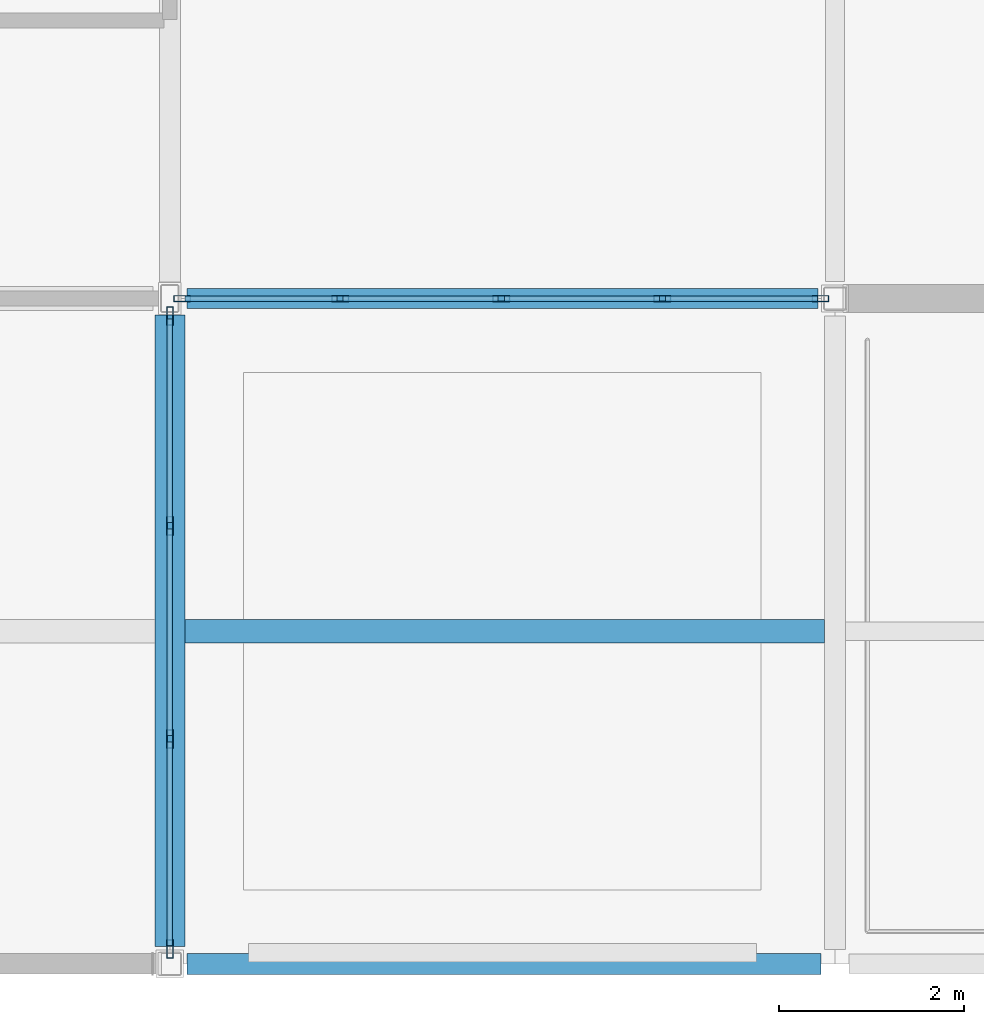
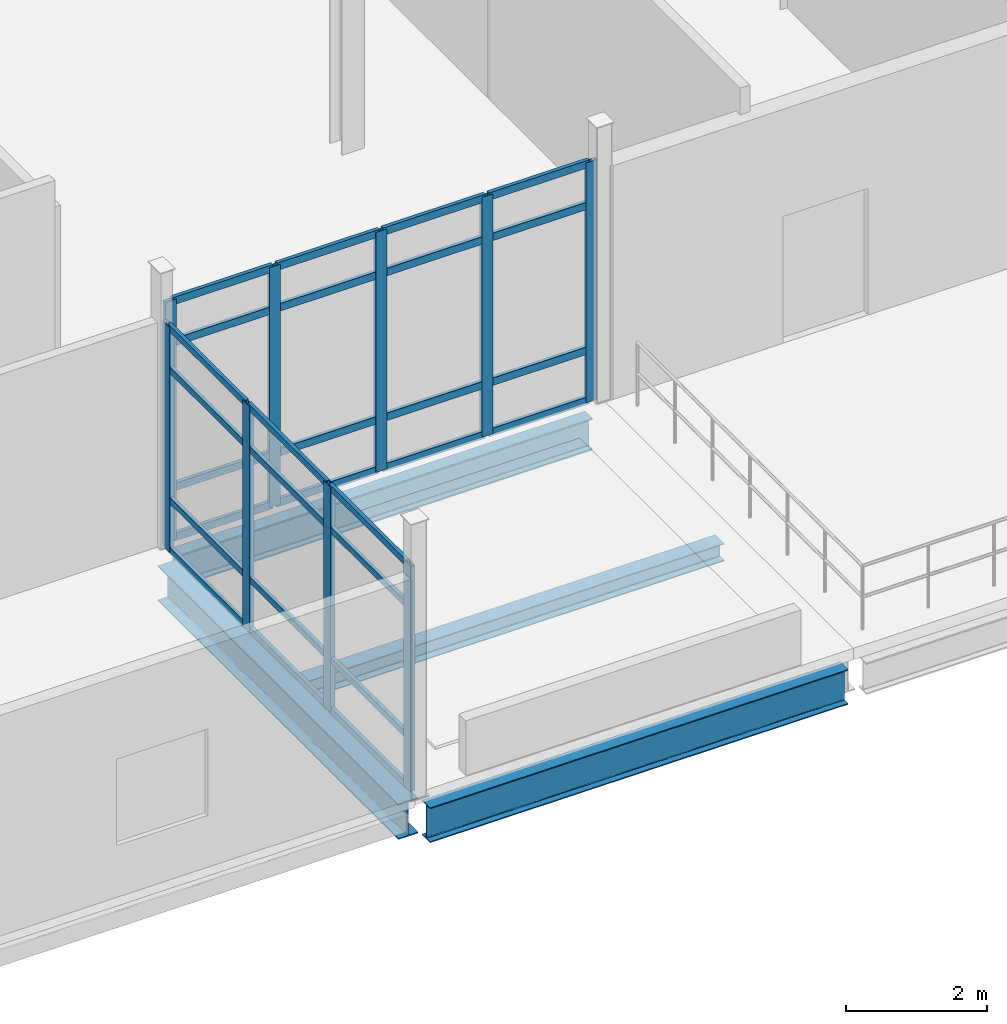
# One storey, part 56 of 186: 37 members, 4 beams, 2 elements without a shape of their own.
"""IFC4 building model written with IfcOpenShell, lengths in metres."""

from ifc_helpers import new_model, si_unit, direction, frame, origin, origin_2d, place, context, subcontext, project, spatial, hollow_rectangle, i_section, extrude, material, layer, layer_set, material_profile, profile_set, type_object, element, aggregate, save


model = new_model("IFC4")

# Units and contexts
model_context = context("Model", 3, precision=1e-05, world=origin(), true_north=direction((0.0, 1.0)))
body_context = subcontext(model_context, "Body", "Model", "MODEL_VIEW")
ifc_project = project(units=[si_unit("LENGTHUNIT", "METRE"), si_unit("AREAUNIT", "SQUARE_METRE"), si_unit("VOLUMEUNIT", "CUBIC_METRE"), si_unit("PLANEANGLEUNIT", "RADIAN"), si_unit("MASSUNIT", "GRAM", prefix="KILO")], contexts=[model_context])

# Site, building, storey
site_placement = place(None, origin())
site = spatial("IfcSite", under=ifc_project, at=site_placement, CompositionType="ELEMENT")
building_placement = place(site_placement, origin())
building = spatial("IfcBuilding", under=site, at=building_placement, Name="Calvrana Isthmian Art Gallery", CompositionType="ELEMENT")
storey_placement = place(building_placement, frame((0.0, 0.0, 5.39990234375)))
storey = spatial("IfcBuildingStorey", under=building, at=storey_placement, Name="L01", CompositionType="ELEMENT", Elevation=5.39990234375)

# Beams
ifc_material_1 = material(Name="Steel ASTM A992 Gr 50", Category="steel")
ifc_material_profile_1 = material_profile(ifc_material_1, i_section(OverallWidth=0.214111328125, OverallDepth=0.549072265625, WebThickness=0.0146484375, FlangeThickness=0.023681640625, FilletRadius=0.02099609375, at=origin_2d()), Name="W21X93")
ifc_profile_set_1 = profile_set([ifc_material_profile_1], Name="Steel ASTM A992 Gr 50")
beam_type_1 = type_object("IfcBeamType", Name="BM-G-W21X93", PredefinedType="BEAM", material=ifc_profile_set_1)
beam_1_placement = place(storey_placement, frame((112.98388671875, 7.199951171875, -0.519287109375), z_axis=(1.0, 0.0, 0.0), x_axis=(0.0, 1.0, 0.0)))
element("IfcBeam", 1, at=beam_1_placement, inside=storey, type_object=beam_type_1, Name="Girder X L01 15-16/B", PredefinedType="BEAM", context=body_context, shape_type="SweptSolid", body=[
    extrude(i_section(OverallWidth=0.214111328125, OverallDepth=0.549072265625, WebThickness=0.0146484375, FlangeThickness=0.023681640625, FilletRadius=0.02099609375, at=origin_2d()), origin(), (0.0, 0.0, 1.0), 6.82958984375),
])
ifc_material_profile_2 = material_profile(ifc_material_1, i_section(OverallWidth=0.324951171875, OverallDepth=0.612060546875, WebThickness=0.0126953125, FlangeThickness=0.01904296875, FilletRadius=0.02197265625, at=origin_2d()), Name="W24X104")
ifc_profile_set_2 = profile_set([ifc_material_profile_2], Name="Steel ASTM A992 Gr 50")
beam_type_2 = type_object("IfcBeamType", Name="BM-G-W24X104", PredefinedType="BEAM", material=ifc_profile_set_2)
beam_2_placement = place(storey_placement, frame((112.800048828125, 0.1865234375, -0.55078125), z_axis=(0.0, 1.0, 0.0), x_axis=(-1.0, 0.0, 0.0)))
element("IfcBeam", 2, at=beam_2_placement, inside=storey, type_object=beam_type_2, Name="Girder Y L01 15/A-B", PredefinedType="BEAM", context=body_context, shape_type="SweptSolid", body=[
    extrude(i_section(OverallWidth=0.324951171875, OverallDepth=0.612060546875, WebThickness=0.0126953125, FlangeThickness=0.01904296875, FilletRadius=0.02197265625, at=origin_2d()), origin(), (0.0, 0.0, 1.0), 6.83544921875),
])
ifc_material_profile_3 = material_profile(ifc_material_1, i_section(OverallWidth=0.22802734375, OverallDepth=0.60693359375, WebThickness=0.01123046875, FlangeThickness=0.017333984375, FilletRadius=0.02197265625, at=origin_2d()), Name="W24X76")
ifc_profile_set_3 = profile_set([ifc_material_profile_3], Name="Steel ASTM A992 Gr 50")
beam_type_3 = type_object("IfcBeamType", Name="BM-G-W24X76", PredefinedType="BEAM", material=ifc_profile_set_3)
beam_3_placement = place(storey_placement, frame((112.986572265625, 0.0, -0.54833984375), z_axis=(1.0, 0.0, 0.0), x_axis=(0.0, 1.0, 0.0)))
element("IfcBeam", 3, at=beam_3_placement, inside=storey, type_object=beam_type_3, Name="Girder X L01 15-16/A", PredefinedType="BEAM", context=body_context, shape_type="SweptSolid", body=[
    extrude(i_section(OverallWidth=0.22802734375, OverallDepth=0.60693359375, WebThickness=0.01123046875, FlangeThickness=0.017333984375, FilletRadius=0.02197265625, at=origin_2d()), origin(), (0.0, 0.0, 1.0), 6.861083984375),
])
ifc_material_profile_4 = material_profile(ifc_material_1, i_section(OverallWidth=0.25390625, OverallDepth=0.306884765625, WebThickness=0.0087890625, FlangeThickness=0.0146484375, FilletRadius=0.01611328125, at=origin_2d()), Name="W12X53")
ifc_profile_set_4 = profile_set([ifc_material_profile_4], Name="Steel ASTM A992 Gr 50")
beam_type_4 = type_object("IfcBeamType", Name="BM-J-W12X53", PredefinedType="JOIST", material=ifc_profile_set_4)
beam_4_placement = place(storey_placement, frame((112.96240234375, 3.60009765625, -0.3984375), z_axis=(1.0, 0.0, 0.0), x_axis=(0.0, 1.0, 0.0)))
element("IfcBeam", 4, at=beam_4_placement, inside=storey, type_object=beam_type_4, Name="Composite joist L01 bay 14-00", PredefinedType="JOIST", context=body_context, shape_type="SweptSolid", body=[
    extrude(i_section(OverallWidth=0.25390625, OverallDepth=0.306884765625, WebThickness=0.0087890625, FlangeThickness=0.0146484375, FilletRadius=0.01611328125, at=origin_2d()), origin(), (0.0, 0.0, 1.0), 6.923583984375),
])

# Curtain wall, members
ifc_material_2 = material(Name="Anodized bronze aluminium 6063-T6", Category="aluminium")
ifc_layer_1 = layer(ifc_material_2, 0.179931640625, Name="Anodized bronze aluminium 6063-T6")
ifc_layer_set_1 = layer_set([ifc_layer_1], Name="Anodized bronze aluminium 6063-T6")
curtain_wall_type_1 = type_object("IfcCurtainWallType", Name="CW-UNIT-070X42", PredefinedType="USERDEFINED", material=ifc_layer_set_1)
curtain_wall_1_placement = place(storey_placement, origin())
curtain_wall_1 = element("IfcCurtainWall", 5, at=curtain_wall_1_placement, inside=storey, type_object=curtain_wall_type_1, Name="Curtain wall CW-086", ObjectType="UNITISED CURTAIN WALL", PredefinedType="USERDEFINED")
ifc_material_profile_5 = material_profile(ifc_material_2, hollow_rectangle(XDim=0.06494140625, YDim=0.179931640625, WallThickness=0.00439453125, at=origin_2d()), Name="CWM65X180")
ifc_profile_set_5 = profile_set([ifc_material_profile_5], Name="Anodized bronze aluminium 6063-T6")
member_type_1 = type_object("IfcMemberType", Name="CWM-CWM65X180", PredefinedType="MULLION", material=ifc_profile_set_5)
member_1_placement = place(storey_placement, frame((119.840576171875, 7.199951171875, 0.0), z_axis=(0.0, 0.0, 1.0), x_axis=(0.0, -1.0, 0.0)))
member_1 = element("IfcMember", 6, at=member_1_placement, type_object=member_type_1, Name="CW-086 mullion 1", PredefinedType="MULLION", context=body_context, shape_type="SweptSolid", body=[
    extrude(hollow_rectangle(XDim=0.06494140625, YDim=0.179931640625, WallThickness=0.00439453125, at=origin_2d()), origin(), (0.0, 0.0, 1.0), 4.1640625),
])
member_2_placement = place(storey_placement, frame((118.130126953125, 7.199951171875, 0.0), z_axis=(0.0, 0.0, 1.0), x_axis=(0.0, -1.0, 0.0)))
member_2 = element("IfcMember", 7, at=member_2_placement, type_object=member_type_1, Name="CW-086 mullion 2", PredefinedType="MULLION", context=body_context, shape_type="SweptSolid", body=[
    extrude(hollow_rectangle(XDim=0.06494140625, YDim=0.179931640625, WallThickness=0.00439453125, at=origin_2d()), origin(), (0.0, 0.0, 1.0), 4.1640625),
])
member_3_placement = place(storey_placement, frame((116.38720703125, 7.199951171875, 0.0), z_axis=(0.0, 0.0, 1.0), x_axis=(0.0, -1.0, 0.0)))
member_3 = element("IfcMember", 8, at=member_3_placement, type_object=member_type_1, Name="CW-086 mullion 3", PredefinedType="MULLION", context=body_context, shape_type="SweptSolid", body=[
    extrude(hollow_rectangle(XDim=0.06494140625, YDim=0.179931640625, WallThickness=0.00439453125, at=origin_2d()), origin(), (0.0, 0.0, 1.0), 4.1640625),
])
member_4_placement = place(storey_placement, frame((114.64453125, 7.199951171875, 0.0), z_axis=(0.0, 0.0, 1.0), x_axis=(0.0, -1.0, 0.0)))
member_4 = element("IfcMember", 9, at=member_4_placement, type_object=member_type_1, Name="CW-086 mullion 4", PredefinedType="MULLION", context=body_context, shape_type="SweptSolid", body=[
    extrude(hollow_rectangle(XDim=0.06494140625, YDim=0.179931640625, WallThickness=0.00439453125, at=origin_2d()), origin(), (0.0, 0.0, 1.0), 4.1640625),
])
member_5_placement = place(storey_placement, frame((112.93408203125, 7.199951171875, 0.0), z_axis=(0.0, 0.0, 1.0), x_axis=(0.0, -1.0, 0.0)))
member_5 = element("IfcMember", 10, at=member_5_placement, type_object=member_type_1, Name="CW-086 mullion 5", PredefinedType="MULLION", context=body_context, shape_type="SweptSolid", body=[
    extrude(hollow_rectangle(XDim=0.06494140625, YDim=0.179931640625, WallThickness=0.00439453125, at=origin_2d()), origin(), (0.0, 0.0, 1.0), 4.1640625),
])

ifc_layer_2 = layer(ifc_material_2, 0.179931640625, Name="Anodized bronze aluminium 6063-T6")
ifc_layer_set_2 = layer_set([ifc_layer_2], Name="Anodized bronze aluminium 6063-T6")
curtain_wall_type_2 = type_object("IfcCurtainWallType", Name="CW-UNIT-069X39", PredefinedType="USERDEFINED", material=ifc_layer_set_2)
curtain_wall_2_placement = place(storey_placement, origin())
curtain_wall_2 = element("IfcCurtainWall", 11, at=curtain_wall_2_placement, inside=storey, type_object=curtain_wall_type_2, Name="Curtain wall CW-135", ObjectType="UNITISED CURTAIN WALL", PredefinedType="USERDEFINED")
ifc_material_profile_6 = material_profile(ifc_material_2, hollow_rectangle(XDim=0.070068359375, YDim=0.199951171875, WallThickness=0.0048828125, at=origin_2d()), Name="CWM70X200")
ifc_profile_set_6 = profile_set([ifc_material_profile_6], Name="Anodized bronze aluminium 6063-T6")
member_type_2 = type_object("IfcMemberType", Name="CWM-CWM70X200", PredefinedType="MULLION", material=ifc_profile_set_6)
member_6_placement = place(storey_placement, frame((112.800048828125, 7.0126953125, 0.0), z_axis=(0.0, 0.0, 1.0), x_axis=(1.0, 0.0, 0.0)))
member_6 = element("IfcMember", 12, at=member_6_placement, type_object=member_type_2, Name="CW-135 mullion 1", PredefinedType="MULLION", context=body_context, shape_type="SweptSolid", body=[
    extrude(hollow_rectangle(XDim=0.070068359375, YDim=0.199951171875, WallThickness=0.0048828125, at=origin_2d()), origin(), (0.0, 0.0, 1.0), 3.9130859375),
])
member_7_placement = place(storey_placement, frame((112.800048828125, 4.74072265625, 0.0), z_axis=(0.0, 0.0, 1.0), x_axis=(1.0, 0.0, 0.0)))
member_7 = element("IfcMember", 13, at=member_7_placement, type_object=member_type_2, Name="CW-135 mullion 2", PredefinedType="MULLION", context=body_context, shape_type="SweptSolid", body=[
    extrude(hollow_rectangle(XDim=0.070068359375, YDim=0.199951171875, WallThickness=0.0048828125, at=origin_2d()), origin(), (0.0, 0.0, 1.0), 3.9130859375),
])
member_8_placement = place(storey_placement, frame((112.800048828125, 2.433837890625, 0.0), z_axis=(0.0, 0.0, 1.0), x_axis=(1.0, 0.0, 0.0)))
member_8 = element("IfcMember", 14, at=member_8_placement, type_object=member_type_2, Name="CW-135 mullion 3", PredefinedType="MULLION", context=body_context, shape_type="SweptSolid", body=[
    extrude(hollow_rectangle(XDim=0.070068359375, YDim=0.199951171875, WallThickness=0.0048828125, at=origin_2d()), origin(), (0.0, 0.0, 1.0), 3.9130859375),
])
member_9_placement = place(storey_placement, frame((112.800048828125, 0.162109375, 0.0), z_axis=(0.0, 0.0, 1.0), x_axis=(1.0, 0.0, 0.0)))
member_9 = element("IfcMember", 15, at=member_9_placement, type_object=member_type_2, Name="CW-135 mullion 4", PredefinedType="MULLION", context=body_context, shape_type="SweptSolid", body=[
    extrude(hollow_rectangle(XDim=0.070068359375, YDim=0.199951171875, WallThickness=0.0048828125, at=origin_2d()), origin(), (0.0, 0.0, 1.0), 3.9130859375),
])
ifc_material_profile_7 = material_profile(ifc_material_2, hollow_rectangle(XDim=0.06005859375, YDim=0.110107421875, WallThickness=0.00341796875, at=origin_2d()), Name="CWT60X110")
ifc_profile_set_7 = profile_set([ifc_material_profile_7], Name="Anodized bronze aluminium 6063-T6")
member_type_3 = type_object("IfcMemberType", Name="CWT-CWT60X110", PredefinedType="USERDEFINED", material=ifc_profile_set_7)
member_10_placement = place(storey_placement, frame((112.800048828125, 6.9775390625, 0.030029296875), z_axis=(0.0, -1.0, 0.0), x_axis=(1.0, 0.0, 0.0)))
member_10 = element("IfcMember", 16, at=member_10_placement, type_object=member_type_3, Name="CW-135 transom 1.1", ObjectType="TRANSOM", PredefinedType="USERDEFINED", context=body_context, shape_type="SweptSolid", body=[
    extrude(hollow_rectangle(XDim=0.06005859375, YDim=0.110107421875, WallThickness=0.00341796875, at=origin_2d()), origin(), (0.0, 0.0, 1.0), 2.201904296875),
])
member_11_placement = place(storey_placement, frame((112.800048828125, 6.9775390625, 0.900146484375), z_axis=(0.0, -1.0, 0.0), x_axis=(1.0, 0.0, 0.0)))
member_11 = element("IfcMember", 17, at=member_11_placement, type_object=member_type_3, Name="CW-135 transom 1.2", ObjectType="TRANSOM", PredefinedType="USERDEFINED", context=body_context, shape_type="SweptSolid", body=[
    extrude(hollow_rectangle(XDim=0.06005859375, YDim=0.110107421875, WallThickness=0.00341796875, at=origin_2d()), origin(), (0.0, 0.0, 1.0), 2.201904296875),
])
member_12_placement = place(storey_placement, frame((112.800048828125, 6.9775390625, 3.1630859375), z_axis=(0.0, -1.0, 0.0), x_axis=(1.0, 0.0, 0.0)))
member_12 = element("IfcMember", 18, at=member_12_placement, type_object=member_type_3, Name="CW-135 transom 1.3", ObjectType="TRANSOM", PredefinedType="USERDEFINED", context=body_context, shape_type="SweptSolid", body=[
    extrude(hollow_rectangle(XDim=0.06005859375, YDim=0.110107421875, WallThickness=0.00341796875, at=origin_2d()), origin(), (0.0, 0.0, 1.0), 2.201904296875),
])
member_13_placement = place(storey_placement, frame((112.800048828125, 6.9775390625, 3.883056640625), z_axis=(0.0, -1.0, 0.0), x_axis=(1.0, 0.0, 0.0)))
member_13 = element("IfcMember", 19, at=member_13_placement, type_object=member_type_3, Name="CW-135 transom 1.4", ObjectType="TRANSOM", PredefinedType="USERDEFINED", context=body_context, shape_type="SweptSolid", body=[
    extrude(hollow_rectangle(XDim=0.06005859375, YDim=0.110107421875, WallThickness=0.00341796875, at=origin_2d()), origin(), (0.0, 0.0, 1.0), 2.201904296875),
])
member_14_placement = place(storey_placement, frame((112.800048828125, 4.705810546875, 0.030029296875), z_axis=(0.0, -1.0, 0.0), x_axis=(1.0, 0.0, 0.0)))
member_14 = element("IfcMember", 20, at=member_14_placement, type_object=member_type_3, Name="CW-135 transom 2.1", ObjectType="TRANSOM", PredefinedType="USERDEFINED", context=body_context, shape_type="SweptSolid", body=[
    extrude(hollow_rectangle(XDim=0.06005859375, YDim=0.110107421875, WallThickness=0.00341796875, at=origin_2d()), origin(), (0.0, 0.0, 1.0), 2.237060546875),
])
member_15_placement = place(storey_placement, frame((112.800048828125, 4.705810546875, 0.900146484375), z_axis=(0.0, -1.0, 0.0), x_axis=(1.0, 0.0, 0.0)))
member_15 = element("IfcMember", 21, at=member_15_placement, type_object=member_type_3, Name="CW-135 transom 2.2", ObjectType="TRANSOM", PredefinedType="USERDEFINED", context=body_context, shape_type="SweptSolid", body=[
    extrude(hollow_rectangle(XDim=0.06005859375, YDim=0.110107421875, WallThickness=0.00341796875, at=origin_2d()), origin(), (0.0, 0.0, 1.0), 2.237060546875),
])
member_16_placement = place(storey_placement, frame((112.800048828125, 4.705810546875, 3.1630859375), z_axis=(0.0, -1.0, 0.0), x_axis=(1.0, 0.0, 0.0)))
member_16 = element("IfcMember", 22, at=member_16_placement, type_object=member_type_3, Name="CW-135 transom 2.3", ObjectType="TRANSOM", PredefinedType="USERDEFINED", context=body_context, shape_type="SweptSolid", body=[
    extrude(hollow_rectangle(XDim=0.06005859375, YDim=0.110107421875, WallThickness=0.00341796875, at=origin_2d()), origin(), (0.0, 0.0, 1.0), 2.237060546875),
])
member_17_placement = place(storey_placement, frame((112.800048828125, 4.705810546875, 3.883056640625), z_axis=(0.0, -1.0, 0.0), x_axis=(1.0, 0.0, 0.0)))
member_17 = element("IfcMember", 23, at=member_17_placement, type_object=member_type_3, Name="CW-135 transom 2.4", ObjectType="TRANSOM", PredefinedType="USERDEFINED", context=body_context, shape_type="SweptSolid", body=[
    extrude(hollow_rectangle(XDim=0.06005859375, YDim=0.110107421875, WallThickness=0.00341796875, at=origin_2d()), origin(), (0.0, 0.0, 1.0), 2.237060546875),
])
member_18_placement = place(storey_placement, frame((112.800048828125, 2.39892578125, 0.030029296875), z_axis=(0.0, -1.0, 0.0), x_axis=(1.0, 0.0, 0.0)))
member_18 = element("IfcMember", 24, at=member_18_placement, type_object=member_type_3, Name="CW-135 transom 3.1", ObjectType="TRANSOM", PredefinedType="USERDEFINED", context=body_context, shape_type="SweptSolid", body=[
    extrude(hollow_rectangle(XDim=0.06005859375, YDim=0.110107421875, WallThickness=0.00341796875, at=origin_2d()), origin(), (0.0, 0.0, 1.0), 2.201904296875),
])
member_19_placement = place(storey_placement, frame((112.800048828125, 2.39892578125, 0.900146484375), z_axis=(0.0, -1.0, 0.0), x_axis=(1.0, 0.0, 0.0)))
member_19 = element("IfcMember", 25, at=member_19_placement, type_object=member_type_3, Name="CW-135 transom 3.2", ObjectType="TRANSOM", PredefinedType="USERDEFINED", context=body_context, shape_type="SweptSolid", body=[
    extrude(hollow_rectangle(XDim=0.06005859375, YDim=0.110107421875, WallThickness=0.00341796875, at=origin_2d()), origin(), (0.0, 0.0, 1.0), 2.201904296875),
])
member_20_placement = place(storey_placement, frame((112.800048828125, 2.39892578125, 3.1630859375), z_axis=(0.0, -1.0, 0.0), x_axis=(1.0, 0.0, 0.0)))
member_20 = element("IfcMember", 26, at=member_20_placement, type_object=member_type_3, Name="CW-135 transom 3.3", ObjectType="TRANSOM", PredefinedType="USERDEFINED", context=body_context, shape_type="SweptSolid", body=[
    extrude(hollow_rectangle(XDim=0.06005859375, YDim=0.110107421875, WallThickness=0.00341796875, at=origin_2d()), origin(), (0.0, 0.0, 1.0), 2.201904296875),
])
member_21_placement = place(storey_placement, frame((112.800048828125, 2.39892578125, 3.883056640625), z_axis=(0.0, -1.0, 0.0), x_axis=(1.0, 0.0, 0.0)))
member_21 = element("IfcMember", 27, at=member_21_placement, type_object=member_type_3, Name="CW-135 transom 3.4", ObjectType="TRANSOM", PredefinedType="USERDEFINED", context=body_context, shape_type="SweptSolid", body=[
    extrude(hollow_rectangle(XDim=0.06005859375, YDim=0.110107421875, WallThickness=0.00341796875, at=origin_2d()), origin(), (0.0, 0.0, 1.0), 2.201904296875),
])
aggregate(curtain_wall_2, [member_6, member_7, member_8, member_9, member_10, member_11, member_12, member_13, member_14, member_15, member_16, member_17, member_18, member_19, member_20, member_21])

# Member
ifc_material_profile_8 = material_profile(ifc_material_2, hollow_rectangle(XDim=0.06005859375, YDim=0.1298828125, WallThickness=0.00390625, at=origin_2d()), Name="CWT60X130")
ifc_profile_set_8 = profile_set([ifc_material_profile_8], Name="Anodized bronze aluminium 6063-T6")
member_type_4 = type_object("IfcMemberType", Name="CWT-CWT60X130", PredefinedType="USERDEFINED", material=ifc_profile_set_8)
member_22_placement = place(storey_placement, frame((119.80810546875, 7.199951171875, 0.030029296875), z_axis=(-1.0, 0.0, 0.0), x_axis=(0.0, -1.0, 0.0)))
member_22 = element("IfcMember", 28, at=member_22_placement, type_object=member_type_4, Name="CW-086 transom 1.1", ObjectType="TRANSOM", PredefinedType="USERDEFINED", context=body_context, shape_type="SweptSolid", body=[
    extrude(hollow_rectangle(XDim=0.06005859375, YDim=0.1298828125, WallThickness=0.00390625, at=origin_2d()), origin(), (0.0, 0.0, 1.0), 1.6455078125),
])

member_23_placement = place(storey_placement, frame((119.80810546875, 7.199951171875, 0.900146484375), z_axis=(-1.0, 0.0, 0.0), x_axis=(0.0, -1.0, 0.0)))
member_23 = element("IfcMember", 29, at=member_23_placement, type_object=member_type_4, Name="CW-086 transom 1.2", ObjectType="TRANSOM", PredefinedType="USERDEFINED", context=body_context, shape_type="SweptSolid", body=[
    extrude(hollow_rectangle(XDim=0.06005859375, YDim=0.1298828125, WallThickness=0.00390625, at=origin_2d()), origin(), (0.0, 0.0, 1.0), 1.6455078125),
])

member_24_placement = place(storey_placement, frame((119.80810546875, 7.199951171875, 3.4140625), z_axis=(-1.0, 0.0, 0.0), x_axis=(0.0, -1.0, 0.0)))
member_24 = element("IfcMember", 30, at=member_24_placement, type_object=member_type_4, Name="CW-086 transom 1.3", ObjectType="TRANSOM", PredefinedType="USERDEFINED", context=body_context, shape_type="SweptSolid", body=[
    extrude(hollow_rectangle(XDim=0.06005859375, YDim=0.1298828125, WallThickness=0.00390625, at=origin_2d()), origin(), (0.0, 0.0, 1.0), 1.6455078125),
])

member_25_placement = place(storey_placement, frame((119.80810546875, 7.199951171875, 4.134033203125), z_axis=(-1.0, 0.0, 0.0), x_axis=(0.0, -1.0, 0.0)))
member_25 = element("IfcMember", 31, at=member_25_placement, type_object=member_type_4, Name="CW-086 transom 1.4", ObjectType="TRANSOM", PredefinedType="USERDEFINED", context=body_context, shape_type="SweptSolid", body=[
    extrude(hollow_rectangle(XDim=0.06005859375, YDim=0.1298828125, WallThickness=0.00390625, at=origin_2d()), origin(), (0.0, 0.0, 1.0), 1.6455078125),
])

member_26_placement = place(storey_placement, frame((118.09765625, 7.199951171875, 0.030029296875), z_axis=(-1.0, 0.0, 0.0), x_axis=(0.0, -1.0, 0.0)))
member_26 = element("IfcMember", 32, at=member_26_placement, type_object=member_type_4, Name="CW-086 transom 2.1", ObjectType="TRANSOM", PredefinedType="USERDEFINED", context=body_context, shape_type="SweptSolid", body=[
    extrude(hollow_rectangle(XDim=0.06005859375, YDim=0.1298828125, WallThickness=0.00390625, at=origin_2d()), origin(), (0.0, 0.0, 1.0), 1.677734375),
])

member_27_placement = place(storey_placement, frame((118.09765625, 7.199951171875, 0.900146484375), z_axis=(-1.0, 0.0, 0.0), x_axis=(0.0, -1.0, 0.0)))
member_27 = element("IfcMember", 33, at=member_27_placement, type_object=member_type_4, Name="CW-086 transom 2.2", ObjectType="TRANSOM", PredefinedType="USERDEFINED", context=body_context, shape_type="SweptSolid", body=[
    extrude(hollow_rectangle(XDim=0.06005859375, YDim=0.1298828125, WallThickness=0.00390625, at=origin_2d()), origin(), (0.0, 0.0, 1.0), 1.677734375),
])

member_28_placement = place(storey_placement, frame((118.09765625, 7.199951171875, 3.4140625), z_axis=(-1.0, 0.0, 0.0), x_axis=(0.0, -1.0, 0.0)))
member_28 = element("IfcMember", 34, at=member_28_placement, type_object=member_type_4, Name="CW-086 transom 2.3", ObjectType="TRANSOM", PredefinedType="USERDEFINED", context=body_context, shape_type="SweptSolid", body=[
    extrude(hollow_rectangle(XDim=0.06005859375, YDim=0.1298828125, WallThickness=0.00390625, at=origin_2d()), origin(), (0.0, 0.0, 1.0), 1.677734375),
])

member_29_placement = place(storey_placement, frame((118.09765625, 7.199951171875, 4.134033203125), z_axis=(-1.0, 0.0, 0.0), x_axis=(0.0, -1.0, 0.0)))
member_29 = element("IfcMember", 35, at=member_29_placement, type_object=member_type_4, Name="CW-086 transom 2.4", ObjectType="TRANSOM", PredefinedType="USERDEFINED", context=body_context, shape_type="SweptSolid", body=[
    extrude(hollow_rectangle(XDim=0.06005859375, YDim=0.1298828125, WallThickness=0.00390625, at=origin_2d()), origin(), (0.0, 0.0, 1.0), 1.677734375),
])

member_30_placement = place(storey_placement, frame((116.354736328125, 7.199951171875, 0.030029296875), z_axis=(-1.0, 0.0, 0.0), x_axis=(0.0, -1.0, 0.0)))
member_30 = element("IfcMember", 36, at=member_30_placement, type_object=member_type_4, Name="CW-086 transom 3.1", ObjectType="TRANSOM", PredefinedType="USERDEFINED", context=body_context, shape_type="SweptSolid", body=[
    extrude(hollow_rectangle(XDim=0.06005859375, YDim=0.1298828125, WallThickness=0.00390625, at=origin_2d()), origin(), (0.0, 0.0, 1.0), 1.677734375),
])

member_31_placement = place(storey_placement, frame((116.354736328125, 7.199951171875, 0.900146484375), z_axis=(-1.0, 0.0, 0.0), x_axis=(0.0, -1.0, 0.0)))
member_31 = element("IfcMember", 37, at=member_31_placement, type_object=member_type_4, Name="CW-086 transom 3.2", ObjectType="TRANSOM", PredefinedType="USERDEFINED", context=body_context, shape_type="SweptSolid", body=[
    extrude(hollow_rectangle(XDim=0.06005859375, YDim=0.1298828125, WallThickness=0.00390625, at=origin_2d()), origin(), (0.0, 0.0, 1.0), 1.677734375),
])

member_32_placement = place(storey_placement, frame((116.354736328125, 7.199951171875, 3.4140625), z_axis=(-1.0, 0.0, 0.0), x_axis=(0.0, -1.0, 0.0)))
member_32 = element("IfcMember", 38, at=member_32_placement, type_object=member_type_4, Name="CW-086 transom 3.3", ObjectType="TRANSOM", PredefinedType="USERDEFINED", context=body_context, shape_type="SweptSolid", body=[
    extrude(hollow_rectangle(XDim=0.06005859375, YDim=0.1298828125, WallThickness=0.00390625, at=origin_2d()), origin(), (0.0, 0.0, 1.0), 1.677734375),
])

member_33_placement = place(storey_placement, frame((116.354736328125, 7.199951171875, 4.134033203125), z_axis=(-1.0, 0.0, 0.0), x_axis=(0.0, -1.0, 0.0)))
member_33 = element("IfcMember", 39, at=member_33_placement, type_object=member_type_4, Name="CW-086 transom 3.4", ObjectType="TRANSOM", PredefinedType="USERDEFINED", context=body_context, shape_type="SweptSolid", body=[
    extrude(hollow_rectangle(XDim=0.06005859375, YDim=0.1298828125, WallThickness=0.00390625, at=origin_2d()), origin(), (0.0, 0.0, 1.0), 1.677734375),
])

member_34_placement = place(storey_placement, frame((114.612060546875, 7.199951171875, 0.030029296875), z_axis=(-1.0, 0.0, 0.0), x_axis=(0.0, -1.0, 0.0)))
member_34 = element("IfcMember", 40, at=member_34_placement, type_object=member_type_4, Name="CW-086 transom 4.1", ObjectType="TRANSOM", PredefinedType="USERDEFINED", context=body_context, shape_type="SweptSolid", body=[
    extrude(hollow_rectangle(XDim=0.06005859375, YDim=0.1298828125, WallThickness=0.00390625, at=origin_2d()), origin(), (0.0, 0.0, 1.0), 1.6455078125),
])

member_35_placement = place(storey_placement, frame((114.612060546875, 7.199951171875, 0.900146484375), z_axis=(-1.0, 0.0, 0.0), x_axis=(0.0, -1.0, 0.0)))
member_35 = element("IfcMember", 41, at=member_35_placement, type_object=member_type_4, Name="CW-086 transom 4.2", ObjectType="TRANSOM", PredefinedType="USERDEFINED", context=body_context, shape_type="SweptSolid", body=[
    extrude(hollow_rectangle(XDim=0.06005859375, YDim=0.1298828125, WallThickness=0.00390625, at=origin_2d()), origin(), (0.0, 0.0, 1.0), 1.6455078125),
])

member_36_placement = place(storey_placement, frame((114.612060546875, 7.199951171875, 3.4140625), z_axis=(-1.0, 0.0, 0.0), x_axis=(0.0, -1.0, 0.0)))
member_36 = element("IfcMember", 42, at=member_36_placement, type_object=member_type_4, Name="CW-086 transom 4.3", ObjectType="TRANSOM", PredefinedType="USERDEFINED", context=body_context, shape_type="SweptSolid", body=[
    extrude(hollow_rectangle(XDim=0.06005859375, YDim=0.1298828125, WallThickness=0.00390625, at=origin_2d()), origin(), (0.0, 0.0, 1.0), 1.6455078125),
])

member_37_placement = place(storey_placement, frame((114.612060546875, 7.199951171875, 4.134033203125), z_axis=(-1.0, 0.0, 0.0), x_axis=(0.0, -1.0, 0.0)))
member_37 = element("IfcMember", 43, at=member_37_placement, type_object=member_type_4, Name="CW-086 transom 4.4", ObjectType="TRANSOM", PredefinedType="USERDEFINED", context=body_context, shape_type="SweptSolid", body=[
    extrude(hollow_rectangle(XDim=0.06005859375, YDim=0.1298828125, WallThickness=0.00390625, at=origin_2d()), origin(), (0.0, 0.0, 1.0), 1.6455078125),
])

aggregate(curtain_wall_1, [member_1, member_2, member_3, member_4, member_5, member_22, member_23, member_24, member_25, member_26, member_27, member_28, member_29, member_30, member_31, member_32, member_33, member_34, member_35, member_36, member_37])

save(model, "model.ifc")
